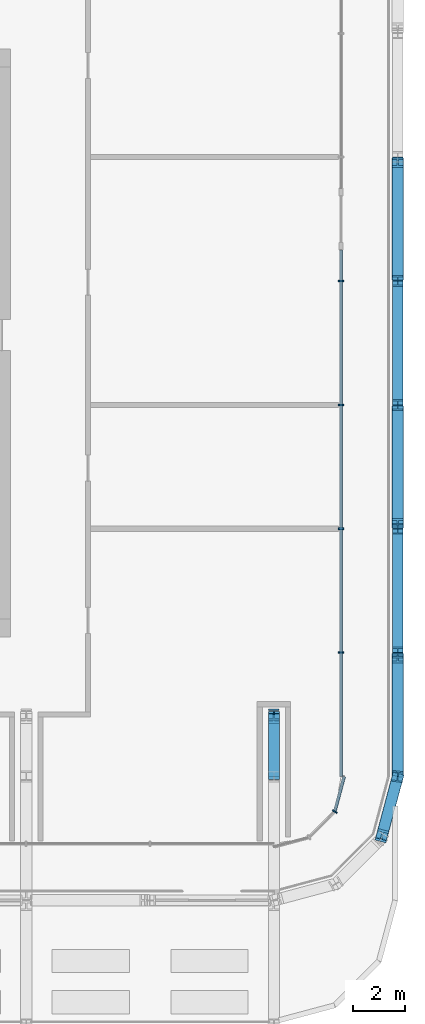
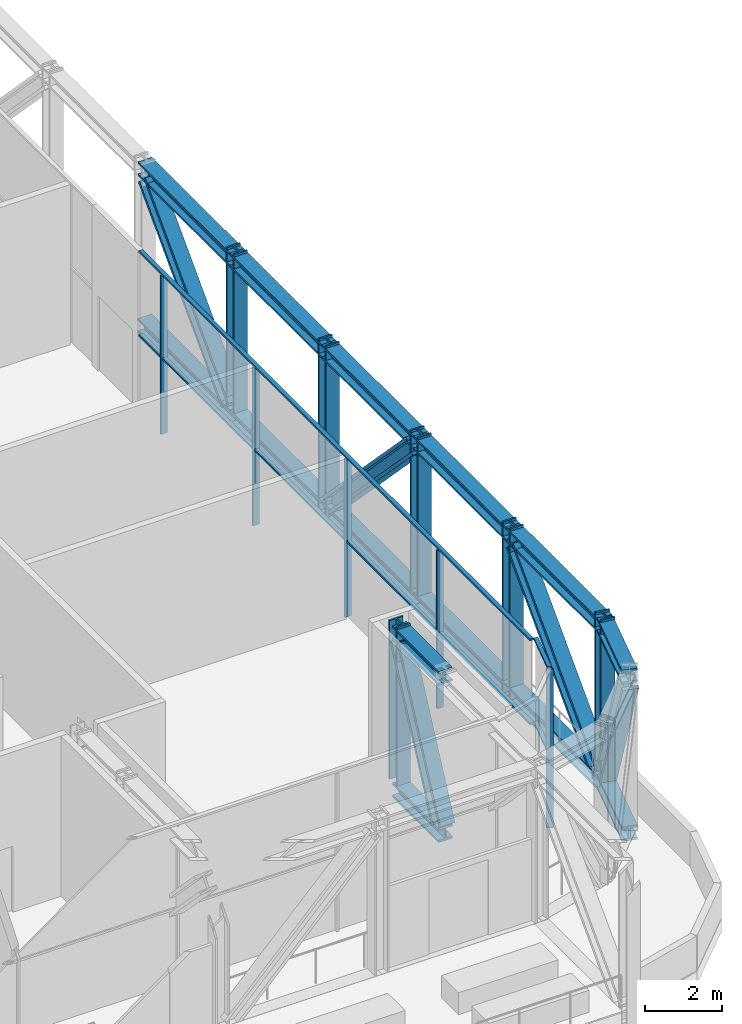
# One storey, part 6 of 22: 38 members, 2 elements without a shape of their own.
"""IFC4 building model written with IfcOpenShell, lengths in metres."""

from ifc_helpers import new_model, si_unit, direction, frame, origin, origin_2d, place, context, subcontext, project, spatial, rectangle, i_section, extrude, material, layer, layer_set, material_profile, profile_set, type_object, element, aggregate, save


model = new_model("IFC4")

# Units and contexts
model_context = context("Model", 3, precision=1e-05, world=origin(), true_north=direction((0.0, 1.0)))
body_context = subcontext(model_context, "Body", "Model", "MODEL_VIEW")
ifc_project = project(units=[si_unit("LENGTHUNIT", "METRE"), si_unit("AREAUNIT", "SQUARE_METRE"), si_unit("VOLUMEUNIT", "CUBIC_METRE"), si_unit("PLANEANGLEUNIT", "RADIAN"), si_unit("MASSUNIT", "GRAM", prefix="KILO")], contexts=[model_context])

# Site, building, storey
site_placement = place(None, origin())
site = spatial("IfcSite", under=ifc_project, at=site_placement, CompositionType="ELEMENT")
building_placement = place(site_placement, origin())
building = spatial("IfcBuilding", under=site, at=building_placement, Name="Madar Terraces", CompositionType="ELEMENT")
storey_placement = place(building_placement, frame((0.0, 0.0, 203.39990234375)))
storey = spatial("IfcBuildingStorey", under=building, at=storey_placement, Name="L53", CompositionType="ELEMENT", Elevation=203.39990234375)

# Members
ifc_material_1 = material(Name="Steel ASTM A992 Grade 50", Category="steel")
ifc_material_profile_1 = material_profile(ifc_material_1, i_section(OverallWidth=0.421630859375, OverallDepth=0.46484375, WebThickness=0.044921875, FlangeThickness=0.072509765625, at=origin_2d()), Name="W14x398")
ifc_profile_set_1 = profile_set([ifc_material_profile_1], Name="Steel ASTM A992 Grade 50")
member_type_1 = type_object("IfcMemberType", Name="BC7 W14x398", PredefinedType="CHORD", material=ifc_profile_set_1)
member_1_placement = place(storey_placement, frame((61.7568359375, 7.199951171875, -0.1875), z_axis=(0.258799930484, 0.965930947833, 0.0), x_axis=(-0.965930947833, 0.258799930484, 0.0)))
element("IfcMember", 1, at=member_1_placement, inside=storey, type_object=member_type_1, Name="Exoskeleton truss ring bottom chord BC7", PredefinedType="CHORD", context=body_context, shape_type="SweptSolid", body=[
    extrude(i_section(OverallWidth=0.421630859375, OverallDepth=0.46484375, WebThickness=0.044921875, FlangeThickness=0.072509765625, at=origin_2d()), origin(), (0.0, 0.0, 1.0), 2.48486328125),
])
member_2_placement = place(storey_placement, frame((62.39990234375, 9.60009765625, -0.1875), z_axis=(0.0, 1.0, 0.0), x_axis=(-1.0, 0.0, 0.0)))
element("IfcMember", 2, at=member_2_placement, inside=storey, type_object=member_type_1, Name="Exoskeleton truss ring bottom chord BC7", PredefinedType="CHORD", context=body_context, shape_type="SweptSolid", body=[
    extrude(i_section(OverallWidth=0.421630859375, OverallDepth=0.46484375, WebThickness=0.044921875, FlangeThickness=0.072509765625, at=origin_2d()), origin(), (0.0, 0.0, 1.0), 4.7998046875),
])
for number, where, z_axis, x_axis, name in (
    (3, (62.39990234375, 14.39990234375, -0.1875), (0.0, 1.0, 0.0), (-1.0, 0.0, 0.0), "Exoskeleton truss ring bottom chord BC7"),
    (4, (62.39990234375, 19.199951171875, -0.1875), (0.0, 1.0, 0.0), (-1.0, 0.0, 0.0), "Exoskeleton truss ring bottom chord BC7"),
    (5, (62.39990234375, 24.0, -0.1875), (0.0, 1.0, 0.0), (-1.0, 0.0, 0.0), "Exoskeleton truss ring bottom chord BC7"),
    (6, (62.39990234375, 28.800048828125, -0.1875), (0.0, 1.0, 0.0), (-1.0, 0.0, 0.0), "Exoskeleton truss ring bottom chord BC7"),
):
    element("IfcMember", number, at=place(storey_placement, frame(where, z_axis=z_axis, x_axis=x_axis)), inside=storey, type_object=member_type_1, Name=name, PredefinedType="CHORD", context=body_context, shape_type="SweptSolid", body=[
        extrude(i_section(OverallWidth=0.421630859375, OverallDepth=0.46484375, WebThickness=0.044921875, FlangeThickness=0.072509765625, at=origin_2d()), origin(), (0.0, 0.0, 1.0), 4.800048828125),
    ])
member_3_placement = place(storey_placement, frame((57.60009765625, 9.60009765625, -0.1875), z_axis=(0.0, 1.0, 0.0), x_axis=(-1.0, 0.0, 0.0)))
element("IfcMember", 7, at=member_3_placement, inside=storey, type_object=member_type_1, Name="Exoskeleton truss cross S57.6 bottom chord BC7", PredefinedType="CHORD", context=body_context, shape_type="SweptSolid", body=[
    extrude(i_section(OverallWidth=0.421630859375, OverallDepth=0.46484375, WebThickness=0.044921875, FlangeThickness=0.072509765625, at=origin_2d()), origin(), (0.0, 0.0, 1.0), 2.39990234375),
])

# Curtain wall, members
ifc_material_2 = material(Name="Glass, ceramic frit dark grey, with black aluminium frame", Category="aluminium")
ifc_layer = layer(ifc_material_2, 0.199951171875)
ifc_layer_set = layer_set([ifc_layer], Name="Facade curtain wall, tall glazing")
curtain_wall_type = type_object("IfcCurtainWallType", Name="Facade curtain wall, tall glazing", PredefinedType="NOTDEFINED", material=ifc_layer_set)
curtain_wall_1_placement = place(storey_placement, origin())
curtain_wall_1 = element("IfcCurtainWall", 8, at=curtain_wall_1_placement, inside=storey, type_object=curtain_wall_type, Name="Outer skin curtain wall east bay 1", PredefinedType="NOTDEFINED")
ifc_material_3 = material(Name="Aluminium, black anodised", Category="aluminium")
ifc_material_profile_2 = material_profile(ifc_material_3, rectangle(XDim=0.199951171875, YDim=0.06005859375, at=origin_2d()), Name="Facade mullion 60x200")
ifc_profile_set_2 = profile_set([ifc_material_profile_2], Name="Aluminium, black anodised")
member_type_2 = type_object("IfcMemberType", Name="Facade mullion 60x200", PredefinedType="MULLION", material=ifc_profile_set_2)
member_4_placement = place(storey_placement, frame((60.199951171875, 14.39990234375, 0.0), z_axis=(0.0, 0.0, 1.0), x_axis=(-1.0, 0.0, 0.0)))
member_4 = element("IfcMember", 9, at=member_4_placement, type_object=member_type_2, Name="Mullion 1", PredefinedType="MULLION", context=body_context, shape_type="SweptSolid", body=[
    extrude(rectangle(XDim=0.199951171875, YDim=0.06005859375, at=origin_2d()), origin(), (0.0, 0.0, 1.0), 5.0400390625),
])
member_5_placement = place(storey_placement, frame((60.199951171875, 19.199951171875, 0.0), z_axis=(0.0, 0.0, 1.0), x_axis=(-1.0, 0.0, 0.0)))
member_5 = element("IfcMember", 10, at=member_5_placement, type_object=member_type_2, Name="Mullion 2", PredefinedType="MULLION", context=body_context, shape_type="SweptSolid", body=[
    extrude(rectangle(XDim=0.199951171875, YDim=0.06005859375, at=origin_2d()), origin(), (0.0, 0.0, 1.0), 5.0400390625),
])
member_6_placement = place(storey_placement, frame((60.199951171875, 24.0, 0.0), z_axis=(0.0, 0.0, 1.0), x_axis=(-1.0, 0.0, 0.0)))
member_6 = element("IfcMember", 11, at=member_6_placement, type_object=member_type_2, Name="Mullion 3", PredefinedType="MULLION", context=body_context, shape_type="SweptSolid", body=[
    extrude(rectangle(XDim=0.199951171875, YDim=0.06005859375, at=origin_2d()), origin(), (0.0, 0.0, 1.0), 5.0400390625),
])
member_7_placement = place(storey_placement, frame((60.199951171875, 28.800048828125, 0.0), z_axis=(0.0, 0.0, 1.0), x_axis=(-1.0, 0.0, 0.0)))
member_7 = element("IfcMember", 12, at=member_7_placement, type_object=member_type_2, Name="Mullion 4", PredefinedType="MULLION", context=body_context, shape_type="SweptSolid", body=[
    extrude(rectangle(XDim=0.199951171875, YDim=0.06005859375, at=origin_2d()), origin(), (0.0, 0.0, 1.0), 5.0400390625),
])

# Curtain wall, member
curtain_wall_2_placement = place(storey_placement, origin())
curtain_wall_2 = element("IfcCurtainWall", 13, at=curtain_wall_2_placement, inside=storey, type_object=curtain_wall_type, Name="Outer skin curtain wall south-east corner", PredefinedType="NOTDEFINED")
member_8_placement = place(storey_placement, frame((59.95556640625, 8.239990234375, 0.0), z_axis=(0.0, 0.0, 1.0), x_axis=(-0.866025386925, 0.500000029202, 0.0)))
member_8 = element("IfcMember", 14, at=member_8_placement, type_object=member_type_2, Name="Mullion 2", PredefinedType="MULLION", context=body_context, shape_type="SweptSolid", body=[
    extrude(rectangle(XDim=0.199951171875, YDim=0.06005859375, at=origin_2d()), origin(), (0.0, 0.0, 1.0), 5.0400390625),
])

# Member
ifc_material_4 = material(Name="Aluminium, black anodised", Category="aluminium")
ifc_material_profile_3 = material_profile(ifc_material_4, rectangle(XDim=0.1201171875, YDim=0.06005859375, at=origin_2d()), Name="Facade transom 60x120")
ifc_profile_set_3 = profile_set([ifc_material_profile_3], Name="Aluminium, black anodised")
member_type_3 = type_object("IfcMemberType", Name="Facade transom 60x120", PredefinedType="USERDEFINED", material=ifc_profile_set_3)
member_9_placement = place(storey_placement, frame((60.199951171875, 9.60009765625, 5.070068359375), z_axis=(0.0, 1.0, 0.0), x_axis=(-1.0, 0.0, 0.0)))
member_9 = element("IfcMember", 15, at=member_9_placement, type_object=member_type_3, Name="Transom 1", ObjectType="TRANSOM", PredefinedType="USERDEFINED", context=body_context, shape_type="SweptSolid", body=[
    extrude(rectangle(XDim=0.1201171875, YDim=0.06005859375, at=origin_2d()), origin(), (0.0, 0.0, 1.0), 20.39990234375),
])

member_10_placement = place(storey_placement, frame((60.199951171875, 9.60009765625, 2.400146484375), z_axis=(0.0, 1.0, 0.0), x_axis=(-1.0, 0.0, 0.0)))
member_10 = element("IfcMember", 16, at=member_10_placement, type_object=member_type_3, Name="Transom 2", ObjectType="TRANSOM", PredefinedType="USERDEFINED", context=body_context, shape_type="SweptSolid", body=[
    extrude(rectangle(XDim=0.1201171875, YDim=0.06005859375, at=origin_2d()), origin(), (0.0, 0.0, 1.0), 4.77001953125),
])

member_11_placement = place(storey_placement, frame((60.199951171875, 14.429931640625, 2.400146484375), z_axis=(0.0, 1.0, 0.0), x_axis=(-1.0, 0.0, 0.0)))
member_11 = element("IfcMember", 17, at=member_11_placement, type_object=member_type_3, Name="Transom 3", ObjectType="TRANSOM", PredefinedType="USERDEFINED", context=body_context, shape_type="SweptSolid", body=[
    extrude(rectangle(XDim=0.1201171875, YDim=0.06005859375, at=origin_2d()), origin(), (0.0, 0.0, 1.0), 4.739990234375),
])

member_12_placement = place(storey_placement, frame((60.199951171875, 19.22998046875, 2.400146484375), z_axis=(0.0, 1.0, 0.0), x_axis=(-1.0, 0.0, 0.0)))
member_12 = element("IfcMember", 18, at=member_12_placement, type_object=member_type_3, Name="Transom 4", ObjectType="TRANSOM", PredefinedType="USERDEFINED", context=body_context, shape_type="SweptSolid", body=[
    extrude(rectangle(XDim=0.1201171875, YDim=0.06005859375, at=origin_2d()), origin(), (0.0, 0.0, 1.0), 4.739990234375),
])

member_13_placement = place(storey_placement, frame((60.199951171875, 24.030029296875, 2.400146484375), z_axis=(0.0, 1.0, 0.0), x_axis=(-1.0, 0.0, 0.0)))
member_13 = element("IfcMember", 19, at=member_13_placement, type_object=member_type_3, Name="Transom 5", ObjectType="TRANSOM", PredefinedType="USERDEFINED", context=body_context, shape_type="SweptSolid", body=[
    extrude(rectangle(XDim=0.1201171875, YDim=0.06005859375, at=origin_2d()), origin(), (0.0, 0.0, 1.0), 4.739990234375),
])

member_14_placement = place(storey_placement, frame((60.199951171875, 28.830078125, 2.400146484375), z_axis=(0.0, 1.0, 0.0), x_axis=(-1.0, 0.0, 0.0)))
member_14 = element("IfcMember", 20, at=member_14_placement, type_object=member_type_3, Name="Transom 6", ObjectType="TRANSOM", PredefinedType="USERDEFINED", context=body_context, shape_type="SweptSolid", body=[
    extrude(rectangle(XDim=0.1201171875, YDim=0.06005859375, at=origin_2d()), origin(), (0.0, 0.0, 1.0), 1.169921875),
])

aggregate(curtain_wall_1, [member_4, member_5, member_6, member_7, member_9, member_10, member_11, member_12, member_13, member_14])

member_15_placement = place(storey_placement, frame((59.96337890625, 8.26904296875, 5.070068359375), z_axis=(0.258842352791, 0.965919580711, 0.0), x_axis=(-0.965919580711, 0.258842352791, 0.0)))
member_15 = element("IfcMember", 21, at=member_15_placement, type_object=member_type_3, Name="Transom 5", ObjectType="TRANSOM", PredefinedType="USERDEFINED", context=body_context, shape_type="SweptSolid", body=[
    extrude(rectangle(XDim=0.1201171875, YDim=0.06005859375, at=origin_2d()), origin(), (0.0, 0.0, 1.0), 1.3779296875),
])

member_16_placement = place(storey_placement, frame((59.96337890625, 8.26904296875, 2.400146484375), z_axis=(0.258842352791, 0.965919580711, 0.0), x_axis=(-0.965919580711, 0.258842352791, 0.0)))
member_16 = element("IfcMember", 22, at=member_16_placement, type_object=member_type_3, Name="Transom 6", ObjectType="TRANSOM", PredefinedType="USERDEFINED", context=body_context, shape_type="SweptSolid", body=[
    extrude(rectangle(XDim=0.1201171875, YDim=0.06005859375, at=origin_2d()), origin(), (0.0, 0.0, 1.0), 1.3779296875),
])

aggregate(curtain_wall_2, [member_8, member_15, member_16])

# Members
ifc_material_5 = material(Name="Steel ASTM A992 Grade 50", Category="steel")
ifc_material_profile_4 = material_profile(ifc_material_5, i_section(OverallWidth=0.41650390625, OverallDepth=0.444580078125, WebThickness=0.0390625, FlangeThickness=0.062744140625, at=origin_2d()), Name="W14x342")
ifc_profile_set_4 = profile_set([ifc_material_profile_4], Name="Steel ASTM A992 Grade 50")
member_type_4 = type_object("IfcMemberType", Name="TC7 W14x342", PredefinedType="CHORD", material=ifc_profile_set_4)
member_17_placement = place(storey_placement, frame((61.7568359375, 7.199951171875, 4.807861328125), z_axis=(0.258799930484, 0.965930947833, 0.0), x_axis=(-0.965930947833, 0.258799930484, 0.0)))
element("IfcMember", 23, at=member_17_placement, inside=storey, type_object=member_type_4, Name="Exoskeleton truss ring top chord TC7", PredefinedType="CHORD", context=body_context, shape_type="SweptSolid", body=[
    extrude(i_section(OverallWidth=0.41650390625, OverallDepth=0.444580078125, WebThickness=0.0390625, FlangeThickness=0.062744140625, at=origin_2d()), origin(), (0.0, 0.0, 1.0), 2.48486328125),
])
member_18_placement = place(storey_placement, frame((62.39990234375, 9.60009765625, 4.807861328125), z_axis=(0.0, 1.0, 0.0), x_axis=(-1.0, 0.0, 0.0)))
element("IfcMember", 24, at=member_18_placement, inside=storey, type_object=member_type_4, Name="Exoskeleton truss ring top chord TC7", PredefinedType="CHORD", context=body_context, shape_type="SweptSolid", body=[
    extrude(i_section(OverallWidth=0.41650390625, OverallDepth=0.444580078125, WebThickness=0.0390625, FlangeThickness=0.062744140625, at=origin_2d()), origin(), (0.0, 0.0, 1.0), 4.7998046875),
])
for number, where, z_axis, x_axis, name in (
    (25, (62.39990234375, 14.39990234375, 4.807861328125), (0.0, 1.0, 0.0), (-1.0, 0.0, 0.0), "Exoskeleton truss ring top chord TC7"),
    (26, (62.39990234375, 19.199951171875, 4.807861328125), (0.0, 1.0, 0.0), (-1.0, 0.0, 0.0), "Exoskeleton truss ring top chord TC7"),
    (27, (62.39990234375, 24.0, 4.807861328125), (0.0, 1.0, 0.0), (-1.0, 0.0, 0.0), "Exoskeleton truss ring top chord TC7"),
    (28, (62.39990234375, 28.800048828125, 4.807861328125), (0.0, 1.0, 0.0), (-1.0, 0.0, 0.0), "Exoskeleton truss ring top chord TC7"),
):
    element("IfcMember", number, at=place(storey_placement, frame(where, z_axis=z_axis, x_axis=x_axis)), inside=storey, type_object=member_type_4, Name=name, PredefinedType="CHORD", context=body_context, shape_type="SweptSolid", body=[
        extrude(i_section(OverallWidth=0.41650390625, OverallDepth=0.444580078125, WebThickness=0.0390625, FlangeThickness=0.062744140625, at=origin_2d()), origin(), (0.0, 0.0, 1.0), 4.800048828125),
    ])
member_19_placement = place(storey_placement, frame((57.60009765625, 9.60009765625, 4.807861328125), z_axis=(0.0, 1.0, 0.0), x_axis=(-1.0, 0.0, 0.0)))
element("IfcMember", 29, at=member_19_placement, inside=storey, type_object=member_type_4, Name="Exoskeleton truss cross S57.6 top chord TC7", PredefinedType="CHORD", context=body_context, shape_type="SweptSolid", body=[
    extrude(i_section(OverallWidth=0.41650390625, OverallDepth=0.444580078125, WebThickness=0.0390625, FlangeThickness=0.062744140625, at=origin_2d()), origin(), (0.0, 0.0, 1.0), 2.39990234375),
])
ifc_material_6 = material(Name="Steel ASTM A992 Grade 50", Category="steel")
ifc_material_profile_5 = material_profile(ifc_material_6, i_section(OverallWidth=0.436767578125, OverallDepth=0.51318359375, WebThickness=0.060546875, FlangeThickness=0.096923828125, at=origin_2d()), Name="W14x550")
ifc_profile_set_5 = profile_set([ifc_material_profile_5], Name="Steel ASTM A992 Grade 50")
member_type_5 = type_object("IfcMemberType", Name="TD7 W14x550", PredefinedType="BRACE", material=ifc_profile_set_5)
member_20_placement = place(storey_placement, frame((61.78564453125, 7.306884765625, 4.585693359375), z_axis=(0.115249660077, 0.430140230905, -0.895375283112), x_axis=(-0.965929232481, 0.258806332687, 0.0)))
element("IfcMember", 30, at=member_20_placement, inside=storey, type_object=member_type_5, Name="Exoskeleton truss ring diagonal TD7", PredefinedType="BRACE", context=body_context, shape_type="SweptSolid", body=[
    extrude(i_section(OverallWidth=0.436767578125, OverallDepth=0.51318359375, WebThickness=0.060546875, FlangeThickness=0.096923828125, at=origin_2d()), origin(), (0.0, 0.0, 1.0), 5.0712890625),
])
member_21_placement = place(storey_placement, frame((62.39990234375, 9.8232421875, 0.044921875), z_axis=(0.0, 0.692873921852, 0.721058755177), x_axis=(-1.0, 0.0, 0.0)))
element("IfcMember", 31, at=member_21_placement, inside=storey, type_object=member_type_5, Name="Exoskeleton truss ring diagonal TD7", PredefinedType="BRACE", context=body_context, shape_type="SweptSolid", body=[
    extrude(i_section(OverallWidth=0.436767578125, OverallDepth=0.51318359375, WebThickness=0.060546875, FlangeThickness=0.096923828125, at=origin_2d()), origin(), (0.0, 0.0, 1.0), 6.29736328125),
])
for number, where, z_axis, x_axis, name in (
    (32, (62.39990234375, 19.41357421875, 4.585693359375), (0.0, 0.692853764203, -0.721078124359), (-1.0, 0.0, 0.0), "Exoskeleton truss ring diagonal TD7"),
    (33, (62.39990234375, 29.0234375, 0.044921875), (0.0, 0.692853764203, 0.721078124359), (-1.0, 0.0, 0.0), "Exoskeleton truss ring diagonal TD7"),
):
    element("IfcMember", number, at=place(storey_placement, frame(where, z_axis=z_axis, x_axis=x_axis)), inside=storey, type_object=member_type_5, Name=name, PredefinedType="BRACE", context=body_context, shape_type="SweptSolid", body=[
        extrude(i_section(OverallWidth=0.436767578125, OverallDepth=0.51318359375, WebThickness=0.060546875, FlangeThickness=0.096923828125, at=origin_2d()), origin(), (0.0, 0.0, 1.0), 6.297119140625),
    ])
member_22_placement = place(storey_placement, frame((57.60009765625, 9.711669921875, 0.044921875), z_axis=(0.0, 0.433065047911, 0.901362670781), x_axis=(-1.0, 0.0, 0.0)))
element("IfcMember", 34, at=member_22_placement, inside=storey, type_object=member_type_5, Name="Exoskeleton truss cross S57.6 diagonal TD7", PredefinedType="BRACE", context=body_context, shape_type="SweptSolid", body=[
    extrude(i_section(OverallWidth=0.436767578125, OverallDepth=0.51318359375, WebThickness=0.060546875, FlangeThickness=0.096923828125, at=origin_2d()), origin(), (0.0, 0.0, 1.0), 5.03759765625),
])
ifc_material_7 = material(Name="Steel ASTM A992 Grade 50", Category="steel")
ifc_material_profile_6 = material_profile(ifc_material_7, i_section(OverallWidth=0.408935546875, OverallDepth=0.424072265625, WebThickness=0.03271484375, FlangeThickness=0.052490234375, at=origin_2d()), Name="W14x283")
ifc_profile_set_6 = profile_set([ifc_material_profile_6], Name="Steel ASTM A992 Grade 50")
member_type_6 = type_object("IfcMemberType", Name="TV7 W14x283", PredefinedType="POST", material=ifc_profile_set_6)
member_23_placement = place(storey_placement, frame((62.39990234375, 9.60009765625, 0.044921875), z_axis=(0.0, 0.0, 1.0), x_axis=(-0.991444863652, 0.130526174916, 0.0)))
element("IfcMember", 35, at=member_23_placement, inside=storey, type_object=member_type_6, Name="Exoskeleton truss ring post TV7", PredefinedType="POST", context=body_context, shape_type="SweptSolid", body=[
    extrude(i_section(OverallWidth=0.408935546875, OverallDepth=0.424072265625, WebThickness=0.03271484375, FlangeThickness=0.052490234375, at=origin_2d()), origin(), (0.0, 0.0, 1.0), 5.05517578125),
])
member_24_placement = place(storey_placement, frame((62.39990234375, 14.39990234375, -0.419921875), z_axis=(0.0, 0.0, 1.0), x_axis=(-1.0, 0.0, 0.0)))
element("IfcMember", 36, at=member_24_placement, inside=storey, type_object=member_type_6, Name="Exoskeleton truss ring post TV7", PredefinedType="POST", context=body_context, shape_type="SweptSolid", body=[
    extrude(i_section(OverallWidth=0.408935546875, OverallDepth=0.424072265625, WebThickness=0.03271484375, FlangeThickness=0.052490234375, at=origin_2d()), origin(), (0.0, 0.0, 1.0), 5.52001953125),
])
member_25_placement = place(storey_placement, frame((62.39990234375, 19.199951171875, 0.044921875), z_axis=(0.0, 0.0, 1.0), x_axis=(-1.0, 0.0, 0.0)))
element("IfcMember", 37, at=member_25_placement, inside=storey, type_object=member_type_6, Name="Exoskeleton truss ring post TV7", PredefinedType="POST", context=body_context, shape_type="SweptSolid", body=[
    extrude(i_section(OverallWidth=0.408935546875, OverallDepth=0.424072265625, WebThickness=0.03271484375, FlangeThickness=0.052490234375, at=origin_2d()), origin(), (0.0, 0.0, 1.0), 5.05517578125),
])
member_26_placement = place(storey_placement, frame((62.39990234375, 24.0, -0.419921875), z_axis=(0.0, 0.0, 1.0), x_axis=(-1.0, 0.0, 0.0)))
element("IfcMember", 38, at=member_26_placement, inside=storey, type_object=member_type_6, Name="Exoskeleton truss ring post TV7", PredefinedType="POST", context=body_context, shape_type="SweptSolid", body=[
    extrude(i_section(OverallWidth=0.408935546875, OverallDepth=0.424072265625, WebThickness=0.03271484375, FlangeThickness=0.052490234375, at=origin_2d()), origin(), (0.0, 0.0, 1.0), 5.52001953125),
])
for number, where, z_axis, x_axis, name in (
    (39, (62.39990234375, 28.800048828125, 0.044921875), (0.0, 0.0, 1.0), (-1.0, 0.0, 0.0), "Exoskeleton truss ring post TV7"),
    (40, (57.60009765625, 12.0, 0.044921875), (0.0, 0.0, 1.0), (-1.0, 0.0, 0.0), "Exoskeleton truss cross S57.6 post TV7"),
):
    element("IfcMember", number, at=place(storey_placement, frame(where, z_axis=z_axis, x_axis=x_axis)), inside=storey, type_object=member_type_6, Name=name, PredefinedType="POST", context=body_context, shape_type="SweptSolid", body=[
        extrude(i_section(OverallWidth=0.408935546875, OverallDepth=0.424072265625, WebThickness=0.03271484375, FlangeThickness=0.052490234375, at=origin_2d()), origin(), (0.0, 0.0, 1.0), 5.05517578125),
    ])

save(model, "model.ifc")
